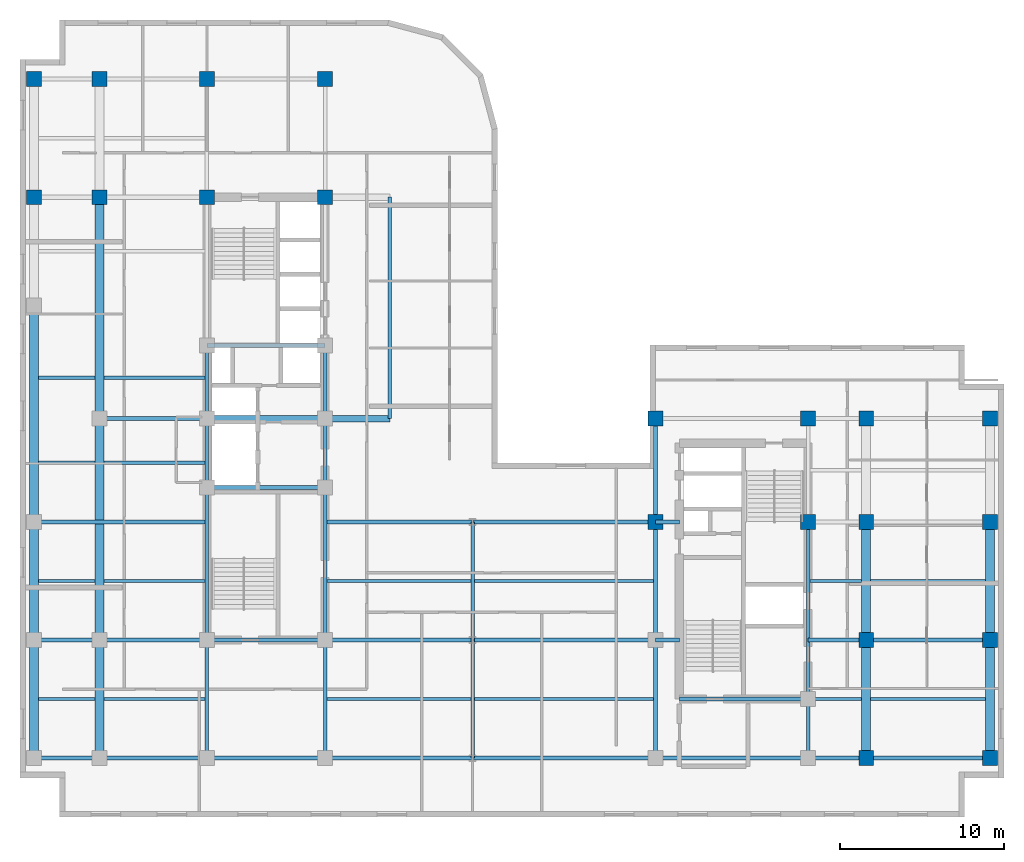
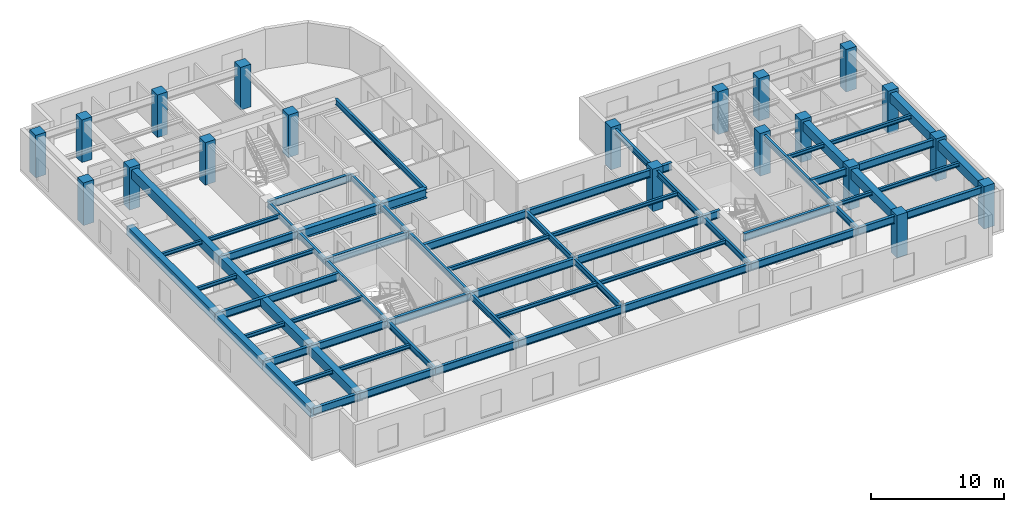
# One storey, part 2 of 11: 67 beams, 20 columns.
"""IFC4 building model written with IfcOpenShell, lengths in metres."""

import ifcopenshell
import ifcopenshell.guid

model = None  # the IFC model being written
_history = None  # IfcOwnerHistory: only IFC2X3 demands one
_inside = {}  # id of a spatial element -> (the spatial element, [elements in it])
_under = {}  # id of a project, library or spatial element -> (it, [spatial elements below it])
_declared = {}  # id of a project -> (the project, [libraries it declares])
_typed = {}  # id of a type object -> (the type object, [elements of that type])
_made_of = {}  # id of a material, layer set ... -> (it, [elements and type objects made of it])


def new_model(schema):
    """Start an empty IFC model of exactly this schema.

    Asked for "IFC4X3", IfcOpenShell would pick the latest addendum, in which some entities
    have other attributes; the version numbers below select the first issue.
    IFC2X3 requires an IfcOwnerHistory on every rooted entity: one is made here for all.
    """
    global model, _history
    if schema == "IFC4X3":
        model = ifcopenshell.file(schema_version=(4, 3, 0, 0))
    else:
        model = ifcopenshell.file(schema=schema)
    _inside.clear()
    _under.clear()
    _declared.clear()
    _typed.clear()
    _made_of.clear()
    _history = None
    if model.schema == "IFC2X3":
        org = make("IfcOrganization", Name="unknown")
        user = make(
            "IfcPersonAndOrganization",
            ThePerson=make("IfcPerson", FamilyName="unknown"),
            TheOrganization=org,
        )
        app = make(
            "IfcApplication",
            ApplicationDeveloper=org,
            Version="unknown",
            ApplicationFullName="unknown",
            ApplicationIdentifier="unknown",
        )
        _history = make(
            "IfcOwnerHistory",
            OwningUser=user,
            OwningApplication=app,
            ChangeAction="ADDED",
            CreationDate=0,
        )
    return model


def make(cls, **values):
    """One entity of the class cls with the attributes given. An attribute that is None is left unset."""
    return model.create_entity(
        cls, **{name: value for name, value in values.items() if value is not None}
    )


def entity(cls, *values):
    """Any entity or typed value of the class cls, its attributes in the order of the schema. None: left unset."""
    e = model.create_entity(cls)
    for i, value in enumerate(values):
        if value is not None:
            e[i] = value
    return e


def rooted(cls, **values):
    """An entity with a GlobalId (a new one), such as an element, a storey or a relation."""
    return make(cls, GlobalId=ifcopenshell.guid.new(), OwnerHistory=_history, **values)


def si_unit(unit_type, name, prefix=None):
    """IfcSIUnit, for example si_unit("LENGTHUNIT", "METRE", prefix="MILLI")."""
    return make("IfcSIUnit", UnitType=unit_type, Prefix=prefix, Name=name)


def converted_unit(unit_type, name, factor, base, dimensions=None, offset=None):
    """IfcConversionBasedUnit, such as the inch: factor (a typed value) times the base unit."""
    return make(
        "IfcConversionBasedUnit"
        if offset is None
        else "IfcConversionBasedUnitWithOffset",
        ConversionOffset=offset,
        Dimensions=None
        if dimensions is None
        else entity("IfcDimensionalExponents", *dimensions),
        UnitType=unit_type,
        Name=name,
        ConversionFactor=make(
            "IfcMeasureWithUnit", ValueComponent=factor, UnitComponent=base
        ),
    )


def assignment(units):
    """IfcUnitAssignment: the units of a project."""
    return None if units is None else make("IfcUnitAssignment", Units=units)


def point(xyz):
    """IfcCartesianPoint."""
    return None if xyz is None else make("IfcCartesianPoint", Coordinates=xyz)


def direction(xyz):
    """IfcDirection."""
    return None if xyz is None else make("IfcDirection", DirectionRatios=xyz)


def frame(location, z_axis=None, x_axis=None):
    """IfcAxis2Placement3D, a coordinate frame: its origin and axes. An axis left out is left unset."""
    return make(
        "IfcAxis2Placement3D",
        Location=point(location),
        Axis=direction(z_axis),
        RefDirection=direction(x_axis),
    )


def frame_2d(location, x_axis=None):
    """IfcAxis2Placement2D, a coordinate frame in the plane: its origin and x axis."""
    return make(
        "IfcAxis2Placement2D", Location=point(location), RefDirection=direction(x_axis)
    )


def origin_with_axes():
    """The frame at (0, 0, 0) with the z axis (0, 0, 1) and the x axis (1, 0, 0) written out."""
    return frame((0.0, 0.0, 0.0), z_axis=(0.0, 0.0, 1.0), x_axis=(1.0, 0.0, 0.0))


def origin_2d_with_axis():
    """The frame at (0, 0) in the plane with the x axis (1, 0) written out."""
    return frame_2d((0.0, 0.0), x_axis=(1.0, 0.0))


def place(relative_to, where):
    """IfcLocalPlacement: puts the frame where relative to a parent placement (None: the world)."""
    return make(
        "IfcLocalPlacement", PlacementRelTo=relative_to, RelativePlacement=where
    )


def context(
    kind, dimensions, precision=None, world=None, true_north=None, identifier=None
):
    """IfcGeometricRepresentationContext, for example the 3D "Model" context."""
    return make(
        "IfcGeometricRepresentationContext",
        ContextIdentifier=identifier,
        ContextType=kind,
        CoordinateSpaceDimension=dimensions,
        Precision=precision,
        WorldCoordinateSystem=world,
        TrueNorth=true_north,
    )


def subcontext(parent, identifier, kind, view, scale=None):
    """IfcGeometricRepresentationSubContext, for example "Body" below "Model"."""
    return make(
        "IfcGeometricRepresentationSubContext",
        ContextIdentifier=identifier,
        ContextType=kind,
        ParentContext=parent,
        TargetScale=scale,
        TargetView=view,
    )


def project(units=None, contexts=None):
    """IfcProject with its units and contexts."""
    return rooted(
        "IfcProject",
        Name="project",
        RepresentationContexts=contexts,
        UnitsInContext=assignment(units),
    )


def spatial(cls, under=None, at=None, **own):
    """A site, building, storey or space (cls), placed at a placement, below another one or the project."""
    s = rooted(cls, ObjectPlacement=at, **own)
    if under is not None:
        _under.setdefault(under.id(), (under, []))[1].append(s)
    return s


def profile(cls, at=None, kind="AREA", **sizes):
    """A parametric profile (cls). Its sizes go by their IFC names, for example OverallWidth=200.0."""
    return make(cls, ProfileType=kind, Position=at, **sizes)


def rectangle(**sizes):
    """IfcRectangleProfileDef."""
    return profile("IfcRectangleProfileDef", **sizes)


def i_section(**sizes):
    """IfcIShapeProfileDef."""
    return profile("IfcIShapeProfileDef", **sizes)


def extrude(swept, where, along, depth):
    """IfcExtrudedAreaSolid: the profile swept, set in the frame where, extruded along a direction by depth."""
    return make(
        "IfcExtrudedAreaSolid",
        SweptArea=swept,
        Position=where,
        ExtrudedDirection=direction(along),
        Depth=depth,
    )


def shape(context_of_items, identifier, shape_type, items):
    """IfcShapeRepresentation: the items that make up one representation, for example the "Body"."""
    return make(
        "IfcShapeRepresentation",
        ContextOfItems=context_of_items,
        RepresentationIdentifier=identifier,
        RepresentationType=shape_type,
        Items=items,
    )


def material(Name=None, Category=None):
    """IfcMaterial."""
    return make("IfcMaterial", Name=Name, Category=Category)


def material_profile(
    of_material, cross_section, Name=None, Category=None, Priority=None
):
    """IfcMaterialProfile: a cross section and its material."""
    return make(
        "IfcMaterialProfile",
        Name=Name,
        Material=of_material,
        Profile=cross_section,
        Priority=Priority,
        Category=Category,
    )


def profile_set(profiles, Name=None, composite=None):
    """IfcMaterialProfileSet."""
    return make(
        "IfcMaterialProfileSet",
        Name=Name,
        MaterialProfiles=profiles,
        CompositeProfile=composite,
    )


def made_of(thing, what):
    """Note that an element or type object is made of a material, layer set ...; save() writes the relation."""
    if what is not None:
        _made_of.setdefault(what.id(), (what, []))[1].append(thing)
    return thing


def type_object(cls, material=None, **own):
    """A type object (cls), such as IfcWallType, which elements share."""
    return made_of(rooted(cls, **own), material)


def element(
    cls,
    number,
    at=None,
    inside=None,
    cuts=None,
    type_object=None,
    material=None,
    context=None,
    identifier="Body",
    shape_type=None,
    held_by="IfcProductDefinitionShape",
    body=None,
    shapes=None,
    **own,
):
    """One element of the class cls, such as IfcWall. Its Tag is "e" and its number.

    at: its placement. inside: the storey or other place that contains it. cuts: it is an
    opening in that element (IfcRelVoidsElement). A single representation is given by context,
    identifier, shape_type and body (its items); several are given by shapes. held_by: the class
    of the entity that holds the representations. save() writes the other relations.
    """
    e = rooted(cls, Tag="e%d" % number, ObjectPlacement=at, **own)
    if body is not None:
        shapes = [shape(context, identifier, shape_type, body)]
    if shapes is not None:
        e.Representation = make(held_by, Representations=shapes)
    if inside is not None:
        _inside.setdefault(inside.id(), (inside, []))[1].append(e)
    if cuts is not None:
        rooted(
            "IfcRelVoidsElement", RelatingBuildingElement=cuts, RelatedOpeningElement=e
        )
    if type_object is not None:
        _typed.setdefault(type_object.id(), (type_object, []))[1].append(e)
    return made_of(e, material)


def aggregate(whole, parts):
    """IfcRelAggregates: a whole, such as a stair, and the parts it consists of."""
    return rooted("IfcRelAggregates", RelatingObject=whole, RelatedObjects=parts)


def save(model, path):
    """Write the relations noted so far, then the file.

    IfcRelAggregates (storeys below a building ...), IfcRelContainedInSpatialStructure (elements
    in a storey), IfcRelDefinesByType, IfcRelAssociatesMaterial and IfcRelDeclares: one each for
    every whole, place, type object, material and project.
    """
    for whole, parts in _under.values():
        aggregate(whole, parts)
    for where, things in _inside.values():
        rooted(
            "IfcRelContainedInSpatialStructure",
            RelatedElements=things,
            RelatingStructure=where,
        )
    for kind, things in _typed.values():
        rooted("IfcRelDefinesByType", RelatedObjects=things, RelatingType=kind)
    for what, things in _made_of.values():
        rooted("IfcRelAssociatesMaterial", RelatedObjects=things, RelatingMaterial=what)
    for by, libraries in _declared.values():
        rooted("IfcRelDeclares", RelatingContext=by, RelatedDefinitions=libraries)
    model.write(path)


model = new_model("IFC4")

# Units and contexts
model_context = context("Model", 3, precision=1e-05, world=origin_with_axes(), true_north=direction((0.0, 1.0)))
body_context = subcontext(model_context, "Body", "Model", "MODEL_VIEW")
ifc_project = project(units=[si_unit("LENGTHUNIT", "METRE"), si_unit("AREAUNIT", "SQUARE_METRE"), si_unit("VOLUMEUNIT", "CUBIC_METRE"), converted_unit("PLANEANGLEUNIT", "DEGREE", entity("IfcPlaneAngleMeasure", 0.017453292519943295), si_unit("PLANEANGLEUNIT", "RADIAN"), dimensions=[0, 0, 0, 0, 0, 0, 0]), si_unit("MASSUNIT", "GRAM", prefix="KILO"), si_unit("THERMODYNAMICTEMPERATUREUNIT", "KELVIN")], contexts=[model_context])

# Site, building, storey
site_placement = place(None, origin_with_axes())
site = spatial("IfcSite", under=ifc_project, at=site_placement, CompositionType="ELEMENT")
building_placement = place(site_placement, origin_with_axes())
building = spatial("IfcBuilding", under=site, at=building_placement, Name="Varnlund Millrace Tower", CompositionType="ELEMENT")
storey_placement = place(building_placement, frame((0.0, 0.0, 200.4), z_axis=(0.0, 0.0, 1.0), x_axis=(1.0, 0.0, 0.0)))
storey = spatial("IfcBuildingStorey", under=building, at=storey_placement, Name="L49", CompositionType="ELEMENT", Elevation=200.4)

# Columns
ifc_material_1 = material(Name="Concrete C70/85", Category="concrete")
ifc_material_profile_1 = material_profile(ifc_material_1, rectangle(XDim=0.9, YDim=0.9, at=origin_2d_with_axis()), Name="Concrete C70/85")
ifc_profile_set_1 = profile_set([ifc_material_profile_1], Name="Concrete C70/85")
column_type = type_object("IfcColumnType", Name="Type-Col-RC900-C70", PredefinedType="COLUMN", material=ifc_profile_set_1)
for number, where, z_axis, x_axis, name in (
    (1, (11.4, 37.8, 0.0), (0.0, 0.0, 1.0), (1.0, 0.0, 0.0), "Type-Col-RC900-C70"),
    (2, (11.4, 45.0, 0.0), (0.0, 0.0, 1.0), (1.0, 0.0, 0.0), "Type-Col-RC900-C70"),
    (3, (18.6, 37.8, 0.0), (0.0, 0.0, 1.0), (1.0, 0.0, 0.0), "Type-Col-RC900-C70"),
    (4, (18.6, 45.0, 0.0), (0.0, 0.0, 1.0), (1.0, 0.0, 0.0), "Type-Col-RC900-C70"),
    (5, (4.85, 37.8, 0.0), (0.0, 0.0, 1.0), (1.0, 0.0, 0.0), "Type-Col-RC900-C70"),
    (6, (4.85, 45.0, 0.0), (0.0, 0.0, 1.0), (1.0, 0.0, 0.0), "Type-Col-RC900-C70"),
    (7, (0.85, 37.8, 0.0), (0.0, 0.0, 1.0), (1.0, 0.0, 0.0), "Type-Col-RC900-C70"),
    (8, (0.85, 45.0, 0.0), (0.0, 0.0, 1.0), (1.0, 0.0, 0.0), "Type-Col-RC900-C70"),
    (9, (38.75, 18.0, 0.0), (0.0, 0.0, 1.0), (1.0, 0.0, 0.0), "Type-Col-RC900-C70"),
    (10, (38.75, 24.3, 0.0), (0.0, 0.0, 1.0), (1.0, 0.0, 0.0), "Type-Col-RC900-C70"),
    (11, (48.05, 18.0, 0.0), (0.0, 0.0, 1.0), (1.0, 0.0, 0.0), "Type-Col-RC900-C70"),
    (12, (48.05, 24.3, 0.0), (0.0, 0.0, 1.0), (1.0, 0.0, 0.0), "Type-Col-RC900-C70"),
    (13, (51.6, 3.6, 0.0), (0.0, 0.0, 1.0), (1.0, 0.0, 0.0), "Type-Col-RC900-C70"),
    (14, (51.6, 10.8, 0.0), (0.0, 0.0, 1.0), (1.0, 0.0, 0.0), "Type-Col-RC900-C70"),
    (15, (51.6, 18.0, 0.0), (0.0, 0.0, 1.0), (1.0, 0.0, 0.0), "Type-Col-RC900-C70"),
    (16, (51.6, 24.3, 0.0), (0.0, 0.0, 1.0), (1.0, 0.0, 0.0), "Type-Col-RC900-C70"),
    (17, (59.15, 3.6, 0.0), (0.0, 0.0, 1.0), (1.0, 0.0, 0.0), "Type-Col-RC900-C70"),
    (18, (59.15, 10.8, 0.0), (0.0, 0.0, 1.0), (1.0, 0.0, 0.0), "Type-Col-RC900-C70"),
    (19, (59.15, 18.0, 0.0), (0.0, 0.0, 1.0), (1.0, 0.0, 0.0), "Type-Col-RC900-C70"),
    (20, (59.15, 24.3, 0.0), (0.0, 0.0, 1.0), (1.0, 0.0, 0.0), "Type-Col-RC900-C70"),
):
    element("IfcColumn", number, at=place(storey_placement, frame(where, z_axis=z_axis, x_axis=x_axis)), inside=storey, type_object=column_type, Name=name, PredefinedType="COLUMN", context=body_context, shape_type="SweptSolid", body=[
        extrude(rectangle(XDim=0.9, YDim=0.9, at=origin_2d_with_axis()), origin_with_axes(), (0.0, 0.0, 1.0), 3.9),
    ])

# Beams
ifc_material_2 = material(Name="Steel ASTM A992 Grade 50", Category="steel")
ifc_material_profile_2 = material_profile(ifc_material_2, i_section(OverallWidth=0.209, OverallDepth=0.533, WebThickness=0.0102, FlangeThickness=0.0156, FilletRadius=0.014, at=origin_2d_with_axis()), Name="Steel ASTM A992 Grade 50")
ifc_profile_set_2 = profile_set([ifc_material_profile_2], Name="Steel ASTM A992 Grade 50")
beam_type_1 = type_object("IfcBeamType", Name="Type-Beam-W21X62", PredefinedType="BEAM", material=ifc_profile_set_2)
beam_1_placement = place(storey_placement, frame((22.55, 24.3, 3.3935), z_axis=(0.0, 1.0, 0.0), x_axis=(-1.0, 0.0, 0.0)))
element("IfcBeam", 21, at=beam_1_placement, inside=storey, type_object=beam_type_1, Name="Type-Beam-W21X62", PredefinedType="BEAM", context=body_context, shape_type="SweptSolid", body=[
    extrude(i_section(OverallWidth=0.209, OverallDepth=0.533, WebThickness=0.0102, FlangeThickness=0.0156, FilletRadius=0.014, at=origin_2d_with_axis()), origin_with_axes(), (0.0, 0.0, 1.0), 13.5),
])
ifc_material_profile_3 = material_profile(ifc_material_2, i_section(OverallWidth=0.214, OverallDepth=0.549, WebThickness=0.0147, FlangeThickness=0.0236, FilletRadius=0.015, at=origin_2d_with_axis()), Name="Steel ASTM A992 Grade 50")
ifc_profile_set_3 = profile_set([ifc_material_profile_3], Name="Steel ASTM A992 Grade 50")
beam_type_2 = type_object("IfcBeamType", Name="Type-Beam-W21X93", PredefinedType="BEAM", material=ifc_profile_set_3)
beam_2_placement = place(storey_placement, frame((11.4, 3.6, 3.3855), z_axis=(0.0, 1.0, 0.0), x_axis=(-1.0, 0.0, 0.0)))
element("IfcBeam", 22, at=beam_2_placement, inside=storey, type_object=beam_type_2, Name="Type-Beam-W21X93", PredefinedType="BEAM", context=body_context, shape_type="SweptSolid", body=[
    extrude(i_section(OverallWidth=0.214, OverallDepth=0.549, WebThickness=0.0147, FlangeThickness=0.0236, FilletRadius=0.015, at=origin_2d_with_axis()), origin_with_axes(), (0.0, 0.0, 1.0), 7.2),
])
beam_3_placement = place(storey_placement, frame((11.4, 10.8, 3.3855), z_axis=(0.0, 1.0, 0.0), x_axis=(-1.0, 0.0, 0.0)))
element("IfcBeam", 23, at=beam_3_placement, inside=storey, type_object=beam_type_2, Name="Type-Beam-W21X93", PredefinedType="BEAM", context=body_context, shape_type="SweptSolid", body=[
    extrude(i_section(OverallWidth=0.214, OverallDepth=0.549, WebThickness=0.0147, FlangeThickness=0.0236, FilletRadius=0.015, at=origin_2d_with_axis()), origin_with_axes(), (0.0, 0.0, 1.0), 9.3),
])
beam_4_placement = place(storey_placement, frame((11.4, 20.1, 3.3855), z_axis=(0.0, 1.0, 0.0), x_axis=(-1.0, 0.0, 0.0)))
element("IfcBeam", 24, at=beam_4_placement, inside=storey, type_object=beam_type_2, Name="Type-Beam-W21X93", PredefinedType="BEAM", context=body_context, shape_type="SweptSolid", body=[
    extrude(i_section(OverallWidth=0.214, OverallDepth=0.549, WebThickness=0.0147, FlangeThickness=0.0236, FilletRadius=0.015, at=origin_2d_with_axis()), origin_with_axes(), (0.0, 0.0, 1.0), 4.2),
])
beam_5_placement = place(storey_placement, frame((11.4, 24.3, 3.3855), z_axis=(0.0, 1.0, 0.0), x_axis=(-1.0, 0.0, 0.0)))
element("IfcBeam", 25, at=beam_5_placement, inside=storey, type_object=beam_type_2, Name="Type-Beam-W21X93", PredefinedType="BEAM", context=body_context, shape_type="SweptSolid", body=[
    extrude(i_section(OverallWidth=0.214, OverallDepth=0.549, WebThickness=0.0147, FlangeThickness=0.0236, FilletRadius=0.015, at=origin_2d_with_axis()), origin_with_axes(), (0.0, 0.0, 1.0), 4.45),
])
beam_6_placement = place(storey_placement, frame((18.6, 3.6, 3.3855), z_axis=(0.0, 1.0, 0.0), x_axis=(-1.0, 0.0, 0.0)))
element("IfcBeam", 26, at=beam_6_placement, inside=storey, type_object=beam_type_2, Name="Type-Beam-W21X93", PredefinedType="BEAM", context=body_context, shape_type="SweptSolid", body=[
    extrude(i_section(OverallWidth=0.214, OverallDepth=0.549, WebThickness=0.0147, FlangeThickness=0.0236, FilletRadius=0.015, at=origin_2d_with_axis()), origin_with_axes(), (0.0, 0.0, 1.0), 7.2),
])
beam_7_placement = place(storey_placement, frame((18.6, 10.8, 3.3855), z_axis=(0.0, 1.0, 0.0), x_axis=(-1.0, 0.0, 0.0)))
element("IfcBeam", 27, at=beam_7_placement, inside=storey, type_object=beam_type_2, Name="Type-Beam-W21X93", PredefinedType="BEAM", context=body_context, shape_type="SweptSolid", body=[
    extrude(i_section(OverallWidth=0.214, OverallDepth=0.549, WebThickness=0.0147, FlangeThickness=0.0236, FilletRadius=0.015, at=origin_2d_with_axis()), origin_with_axes(), (0.0, 0.0, 1.0), 9.3),
])
beam_8_placement = place(storey_placement, frame((18.6, 20.1, 3.3855), z_axis=(0.0, 1.0, 0.0), x_axis=(-1.0, 0.0, 0.0)))
element("IfcBeam", 28, at=beam_8_placement, inside=storey, type_object=beam_type_2, Name="Type-Beam-W21X93", PredefinedType="BEAM", context=body_context, shape_type="SweptSolid", body=[
    extrude(i_section(OverallWidth=0.214, OverallDepth=0.549, WebThickness=0.0147, FlangeThickness=0.0236, FilletRadius=0.015, at=origin_2d_with_axis()), origin_with_axes(), (0.0, 0.0, 1.0), 4.2),
])
beam_9_placement = place(storey_placement, frame((18.6, 24.3, 3.3855), z_axis=(0.0, 1.0, 0.0), x_axis=(-1.0, 0.0, 0.0)))
element("IfcBeam", 29, at=beam_9_placement, inside=storey, type_object=beam_type_2, Name="Type-Beam-W21X93", PredefinedType="BEAM", context=body_context, shape_type="SweptSolid", body=[
    extrude(i_section(OverallWidth=0.214, OverallDepth=0.549, WebThickness=0.0147, FlangeThickness=0.0236, FilletRadius=0.015, at=origin_2d_with_axis()), origin_with_axes(), (0.0, 0.0, 1.0), 4.45),
])
for number, where, z_axis, x_axis, name in (
    (30, (27.6, 3.6, 3.3855), (0.0, 1.0, 0.0), (-1.0, 0.0, 0.0), "Type-Beam-W21X93"),
    (31, (27.6, 10.8, 3.3855), (0.0, 1.0, 0.0), (-1.0, 0.0, 0.0), "Type-Beam-W21X93"),
    (32, (38.75, 3.6, 3.3855), (0.0, 1.0, 0.0), (-1.0, 0.0, 0.0), "Type-Beam-W21X93"),
    (33, (38.75, 10.8, 3.3855), (0.0, 1.0, 0.0), (-1.0, 0.0, 0.0), "Type-Beam-W21X93"),
):
    element("IfcBeam", number, at=place(storey_placement, frame(where, z_axis=z_axis, x_axis=x_axis)), inside=storey, type_object=beam_type_2, Name=name, PredefinedType="BEAM", context=body_context, shape_type="SweptSolid", body=[
        extrude(i_section(OverallWidth=0.214, OverallDepth=0.549, WebThickness=0.0147, FlangeThickness=0.0236, FilletRadius=0.015, at=origin_2d_with_axis()), origin_with_axes(), (0.0, 0.0, 1.0), 7.2),
    ])
beam_10_placement = place(storey_placement, frame((38.75, 18.0, 3.3855), z_axis=(0.0, 1.0, 0.0), x_axis=(-1.0, 0.0, 0.0)))
element("IfcBeam", 34, at=beam_10_placement, inside=storey, type_object=beam_type_2, Name="Type-Beam-W21X93", PredefinedType="BEAM", context=body_context, shape_type="SweptSolid", body=[
    extrude(i_section(OverallWidth=0.214, OverallDepth=0.549, WebThickness=0.0147, FlangeThickness=0.0236, FilletRadius=0.015, at=origin_2d_with_axis()), origin_with_axes(), (0.0, 0.0, 1.0), 6.3),
])
beam_11_placement = place(storey_placement, frame((48.05, 3.6, 3.3855), z_axis=(0.0, 1.0, 0.0), x_axis=(-1.0, 0.0, 0.0)))
element("IfcBeam", 35, at=beam_11_placement, inside=storey, type_object=beam_type_2, Name="Type-Beam-W21X93", PredefinedType="BEAM", context=body_context, shape_type="SweptSolid", body=[
    extrude(i_section(OverallWidth=0.214, OverallDepth=0.549, WebThickness=0.0147, FlangeThickness=0.0236, FilletRadius=0.015, at=origin_2d_with_axis()), origin_with_axes(), (0.0, 0.0, 1.0), 3.6),
])
beam_12_placement = place(storey_placement, frame((48.05, 7.2, 3.3855), z_axis=(0.0, 1.0, 0.0), x_axis=(-1.0, 0.0, 0.0)))
element("IfcBeam", 36, at=beam_12_placement, inside=storey, type_object=beam_type_2, Name="Type-Beam-W21X93", PredefinedType="BEAM", context=body_context, shape_type="SweptSolid", body=[
    extrude(i_section(OverallWidth=0.214, OverallDepth=0.549, WebThickness=0.0147, FlangeThickness=0.0236, FilletRadius=0.015, at=origin_2d_with_axis()), origin_with_axes(), (0.0, 0.0, 1.0), 10.8),
])
ifc_material_profile_4 = material_profile(ifc_material_2, i_section(OverallWidth=0.256, OverallDepth=0.693, WebThickness=0.0145, FlangeThickness=0.0236, FilletRadius=0.018, at=origin_2d_with_axis()), Name="Steel ASTM A992 Grade 50")
ifc_profile_set_4 = profile_set([ifc_material_profile_4], Name="Steel ASTM A992 Grade 50")
beam_type_3 = type_object("IfcBeamType", Name="Type-Girder-W27X114", PredefinedType="USERDEFINED", material=ifc_profile_set_4)
beam_13_placement = place(storey_placement, frame((0.85, 3.6, 3.3135), z_axis=(1.0, 0.0, 0.0), x_axis=(0.0, 1.0, 0.0)))
element("IfcBeam", 37, at=beam_13_placement, inside=storey, type_object=beam_type_3, Name="Type-Girder-W27X114", ObjectType="GIRDER", PredefinedType="USERDEFINED", context=body_context, shape_type="SweptSolid", body=[
    extrude(i_section(OverallWidth=0.256, OverallDepth=0.693, WebThickness=0.0145, FlangeThickness=0.0236, FilletRadius=0.018, at=origin_2d_with_axis()), origin_with_axes(), (0.0, 0.0, 1.0), 4.0),
])
beam_14_placement = place(storey_placement, frame((4.85, 3.6, 3.3135), z_axis=(1.0, 0.0, 0.0), x_axis=(0.0, 1.0, 0.0)))
element("IfcBeam", 38, at=beam_14_placement, inside=storey, type_object=beam_type_3, Name="Type-Girder-W27X114", ObjectType="GIRDER", PredefinedType="USERDEFINED", context=body_context, shape_type="SweptSolid", body=[
    extrude(i_section(OverallWidth=0.256, OverallDepth=0.693, WebThickness=0.0145, FlangeThickness=0.0236, FilletRadius=0.018, at=origin_2d_with_axis()), origin_with_axes(), (0.0, 0.0, 1.0), 6.55),
])
beam_15_placement = place(storey_placement, frame((11.4, 3.6, 3.3135), z_axis=(1.0, 0.0, 0.0), x_axis=(0.0, 1.0, 0.0)))
element("IfcBeam", 39, at=beam_15_placement, inside=storey, type_object=beam_type_3, Name="Type-Girder-W27X114", ObjectType="GIRDER", PredefinedType="USERDEFINED", context=body_context, shape_type="SweptSolid", body=[
    extrude(i_section(OverallWidth=0.256, OverallDepth=0.693, WebThickness=0.0145, FlangeThickness=0.0236, FilletRadius=0.018, at=origin_2d_with_axis()), origin_with_axes(), (0.0, 0.0, 1.0), 7.2),
])
beam_16_placement = place(storey_placement, frame((18.6, 3.6, 3.3135), z_axis=(1.0, 0.0, 0.0), x_axis=(0.0, 1.0, 0.0)))
element("IfcBeam", 40, at=beam_16_placement, inside=storey, type_object=beam_type_3, Name="Type-Girder-W27X114", ObjectType="GIRDER", PredefinedType="USERDEFINED", context=body_context, shape_type="SweptSolid", body=[
    extrude(i_section(OverallWidth=0.256, OverallDepth=0.693, WebThickness=0.0145, FlangeThickness=0.0236, FilletRadius=0.018, at=origin_2d_with_axis()), origin_with_axes(), (0.0, 0.0, 1.0), 9.0),
])
beam_17_placement = place(storey_placement, frame((27.6, 3.6, 3.3135), z_axis=(1.0, 0.0, 0.0), x_axis=(0.0, 1.0, 0.0)))
element("IfcBeam", 41, at=beam_17_placement, inside=storey, type_object=beam_type_3, Name="Type-Girder-W27X114", ObjectType="GIRDER", PredefinedType="USERDEFINED", context=body_context, shape_type="SweptSolid", body=[
    extrude(i_section(OverallWidth=0.256, OverallDepth=0.693, WebThickness=0.0145, FlangeThickness=0.0236, FilletRadius=0.018, at=origin_2d_with_axis()), origin_with_axes(), (0.0, 0.0, 1.0), 11.15),
])
beam_18_placement = place(storey_placement, frame((38.75, 3.6, 3.3135), z_axis=(1.0, 0.0, 0.0), x_axis=(0.0, 1.0, 0.0)))
element("IfcBeam", 42, at=beam_18_placement, inside=storey, type_object=beam_type_3, Name="Type-Girder-W27X114", ObjectType="GIRDER", PredefinedType="USERDEFINED", context=body_context, shape_type="SweptSolid", body=[
    extrude(i_section(OverallWidth=0.256, OverallDepth=0.693, WebThickness=0.0145, FlangeThickness=0.0236, FilletRadius=0.018, at=origin_2d_with_axis()), origin_with_axes(), (0.0, 0.0, 1.0), 9.3),
])
beam_19_placement = place(storey_placement, frame((48.05, 3.6, 3.3135), z_axis=(1.0, 0.0, 0.0), x_axis=(0.0, 1.0, 0.0)))
element("IfcBeam", 43, at=beam_19_placement, inside=storey, type_object=beam_type_3, Name="Type-Girder-W27X114", ObjectType="GIRDER", PredefinedType="USERDEFINED", context=body_context, shape_type="SweptSolid", body=[
    extrude(i_section(OverallWidth=0.256, OverallDepth=0.693, WebThickness=0.0145, FlangeThickness=0.0236, FilletRadius=0.018, at=origin_2d_with_axis()), origin_with_axes(), (0.0, 0.0, 1.0), 3.55),
])
beam_20_placement = place(storey_placement, frame((51.6, 3.6, 3.3135), z_axis=(1.0, 0.0, 0.0), x_axis=(0.0, 1.0, 0.0)))
element("IfcBeam", 44, at=beam_20_placement, inside=storey, type_object=beam_type_3, Name="Type-Girder-W27X114", ObjectType="GIRDER", PredefinedType="USERDEFINED", context=body_context, shape_type="SweptSolid", body=[
    extrude(i_section(OverallWidth=0.256, OverallDepth=0.693, WebThickness=0.0145, FlangeThickness=0.0236, FilletRadius=0.018, at=origin_2d_with_axis()), origin_with_axes(), (0.0, 0.0, 1.0), 7.55),
])
beam_21_placement = place(storey_placement, frame((40.2, 7.2, 3.3135), z_axis=(1.0, 0.0, 0.0), x_axis=(0.0, 1.0, 0.0)))
element("IfcBeam", 45, at=beam_21_placement, inside=storey, type_object=beam_type_3, Name="Type-Girder-W27X114", ObjectType="GIRDER", PredefinedType="USERDEFINED", context=body_context, shape_type="SweptSolid", body=[
    extrude(i_section(OverallWidth=0.256, OverallDepth=0.693, WebThickness=0.0145, FlangeThickness=0.0236, FilletRadius=0.018, at=origin_2d_with_axis()), origin_with_axes(), (0.0, 0.0, 1.0), 7.85),
])
beam_22_placement = place(storey_placement, frame((0.85, 10.8, 3.3135), z_axis=(1.0, 0.0, 0.0), x_axis=(0.0, 1.0, 0.0)))
element("IfcBeam", 46, at=beam_22_placement, inside=storey, type_object=beam_type_3, Name="Type-Girder-W27X114", ObjectType="GIRDER", PredefinedType="USERDEFINED", context=body_context, shape_type="SweptSolid", body=[
    extrude(i_section(OverallWidth=0.256, OverallDepth=0.693, WebThickness=0.0145, FlangeThickness=0.0236, FilletRadius=0.018, at=origin_2d_with_axis()), origin_with_axes(), (0.0, 0.0, 1.0), 4.0),
])
beam_23_placement = place(storey_placement, frame((4.85, 10.8, 3.3135), z_axis=(1.0, 0.0, 0.0), x_axis=(0.0, 1.0, 0.0)))
element("IfcBeam", 47, at=beam_23_placement, inside=storey, type_object=beam_type_3, Name="Type-Girder-W27X114", ObjectType="GIRDER", PredefinedType="USERDEFINED", context=body_context, shape_type="SweptSolid", body=[
    extrude(i_section(OverallWidth=0.256, OverallDepth=0.693, WebThickness=0.0145, FlangeThickness=0.0236, FilletRadius=0.018, at=origin_2d_with_axis()), origin_with_axes(), (0.0, 0.0, 1.0), 6.55),
])
beam_24_placement = place(storey_placement, frame((11.4, 10.8, 3.3135), z_axis=(1.0, 0.0, 0.0), x_axis=(0.0, 1.0, 0.0)))
element("IfcBeam", 48, at=beam_24_placement, inside=storey, type_object=beam_type_3, Name="Type-Girder-W27X114", ObjectType="GIRDER", PredefinedType="USERDEFINED", context=body_context, shape_type="SweptSolid", body=[
    extrude(i_section(OverallWidth=0.256, OverallDepth=0.693, WebThickness=0.0145, FlangeThickness=0.0236, FilletRadius=0.018, at=origin_2d_with_axis()), origin_with_axes(), (0.0, 0.0, 1.0), 7.2),
])
beam_25_placement = place(storey_placement, frame((18.6, 10.8, 3.3135), z_axis=(1.0, 0.0, 0.0), x_axis=(0.0, 1.0, 0.0)))
element("IfcBeam", 49, at=beam_25_placement, inside=storey, type_object=beam_type_3, Name="Type-Girder-W27X114", ObjectType="GIRDER", PredefinedType="USERDEFINED", context=body_context, shape_type="SweptSolid", body=[
    extrude(i_section(OverallWidth=0.256, OverallDepth=0.693, WebThickness=0.0145, FlangeThickness=0.0236, FilletRadius=0.018, at=origin_2d_with_axis()), origin_with_axes(), (0.0, 0.0, 1.0), 9.0),
])
beam_26_placement = place(storey_placement, frame((27.6, 10.8, 3.3135), z_axis=(1.0, 0.0, 0.0), x_axis=(0.0, 1.0, 0.0)))
element("IfcBeam", 50, at=beam_26_placement, inside=storey, type_object=beam_type_3, Name="Type-Girder-W27X114", ObjectType="GIRDER", PredefinedType="USERDEFINED", context=body_context, shape_type="SweptSolid", body=[
    extrude(i_section(OverallWidth=0.256, OverallDepth=0.693, WebThickness=0.0145, FlangeThickness=0.0236, FilletRadius=0.018, at=origin_2d_with_axis()), origin_with_axes(), (0.0, 0.0, 1.0), 11.15),
])
beam_27_placement = place(storey_placement, frame((38.75, 10.8, 3.3135), z_axis=(1.0, 0.0, 0.0), x_axis=(0.0, 1.0, 0.0)))
element("IfcBeam", 51, at=beam_27_placement, inside=storey, type_object=beam_type_3, Name="Type-Girder-W27X114", ObjectType="GIRDER", PredefinedType="USERDEFINED", context=body_context, shape_type="SweptSolid", body=[
    extrude(i_section(OverallWidth=0.256, OverallDepth=0.693, WebThickness=0.0145, FlangeThickness=0.0236, FilletRadius=0.018, at=origin_2d_with_axis()), origin_with_axes(), (0.0, 0.0, 1.0), 1.45),
])
beam_28_placement = place(storey_placement, frame((48.05, 10.8, 3.3135), z_axis=(1.0, 0.0, 0.0), x_axis=(0.0, 1.0, 0.0)))
element("IfcBeam", 52, at=beam_28_placement, inside=storey, type_object=beam_type_3, Name="Type-Girder-W27X114", ObjectType="GIRDER", PredefinedType="USERDEFINED", context=body_context, shape_type="SweptSolid", body=[
    extrude(i_section(OverallWidth=0.256, OverallDepth=0.693, WebThickness=0.0145, FlangeThickness=0.0236, FilletRadius=0.018, at=origin_2d_with_axis()), origin_with_axes(), (0.0, 0.0, 1.0), 3.55),
])
beam_29_placement = place(storey_placement, frame((51.6, 10.8, 3.3135), z_axis=(1.0, 0.0, 0.0), x_axis=(0.0, 1.0, 0.0)))
element("IfcBeam", 53, at=beam_29_placement, inside=storey, type_object=beam_type_3, Name="Type-Girder-W27X114", ObjectType="GIRDER", PredefinedType="USERDEFINED", context=body_context, shape_type="SweptSolid", body=[
    extrude(i_section(OverallWidth=0.256, OverallDepth=0.693, WebThickness=0.0145, FlangeThickness=0.0236, FilletRadius=0.018, at=origin_2d_with_axis()), origin_with_axes(), (0.0, 0.0, 1.0), 7.55),
])
beam_30_placement = place(storey_placement, frame((0.85, 18.0, 3.3135), z_axis=(1.0, 0.0, 0.0), x_axis=(0.0, 1.0, 0.0)))
element("IfcBeam", 54, at=beam_30_placement, inside=storey, type_object=beam_type_3, Name="Type-Girder-W27X114", ObjectType="GIRDER", PredefinedType="USERDEFINED", context=body_context, shape_type="SweptSolid", body=[
    extrude(i_section(OverallWidth=0.256, OverallDepth=0.693, WebThickness=0.0145, FlangeThickness=0.0236, FilletRadius=0.018, at=origin_2d_with_axis()), origin_with_axes(), (0.0, 0.0, 1.0), 10.55),
])
beam_31_placement = place(storey_placement, frame((18.6, 18.0, 3.3135), z_axis=(1.0, 0.0, 0.0), x_axis=(0.0, 1.0, 0.0)))
element("IfcBeam", 55, at=beam_31_placement, inside=storey, type_object=beam_type_3, Name="Type-Girder-W27X114", ObjectType="GIRDER", PredefinedType="USERDEFINED", context=body_context, shape_type="SweptSolid", body=[
    extrude(i_section(OverallWidth=0.256, OverallDepth=0.693, WebThickness=0.0145, FlangeThickness=0.0236, FilletRadius=0.018, at=origin_2d_with_axis()), origin_with_axes(), (0.0, 0.0, 1.0), 9.0),
])
beam_32_placement = place(storey_placement, frame((27.6, 18.0, 3.3135), z_axis=(1.0, 0.0, 0.0), x_axis=(0.0, 1.0, 0.0)))
element("IfcBeam", 56, at=beam_32_placement, inside=storey, type_object=beam_type_3, Name="Type-Girder-W27X114", ObjectType="GIRDER", PredefinedType="USERDEFINED", context=body_context, shape_type="SweptSolid", body=[
    extrude(i_section(OverallWidth=0.256, OverallDepth=0.693, WebThickness=0.0145, FlangeThickness=0.0236, FilletRadius=0.018, at=origin_2d_with_axis()), origin_with_axes(), (0.0, 0.0, 1.0), 11.15),
])
beam_33_placement = place(storey_placement, frame((38.75, 18.0, 3.3135), z_axis=(1.0, 0.0, 0.0), x_axis=(0.0, 1.0, 0.0)))
element("IfcBeam", 57, at=beam_33_placement, inside=storey, type_object=beam_type_3, Name="Type-Girder-W27X114", ObjectType="GIRDER", PredefinedType="USERDEFINED", context=body_context, shape_type="SweptSolid", body=[
    extrude(i_section(OverallWidth=0.256, OverallDepth=0.693, WebThickness=0.0145, FlangeThickness=0.0236, FilletRadius=0.018, at=origin_2d_with_axis()), origin_with_axes(), (0.0, 0.0, 1.0), 1.45),
])
beam_34_placement = place(storey_placement, frame((11.4, 20.1, 3.3135), z_axis=(1.0, 0.0, 0.0), x_axis=(0.0, 1.0, 0.0)))
element("IfcBeam", 58, at=beam_34_placement, inside=storey, type_object=beam_type_3, Name="Type-Girder-W27X114", ObjectType="GIRDER", PredefinedType="USERDEFINED", context=body_context, shape_type="SweptSolid", body=[
    extrude(i_section(OverallWidth=0.256, OverallDepth=0.693, WebThickness=0.0145, FlangeThickness=0.0236, FilletRadius=0.018, at=origin_2d_with_axis()), origin_with_axes(), (0.0, 0.0, 1.0), 7.2),
])
beam_35_placement = place(storey_placement, frame((4.85, 24.3, 3.3135), z_axis=(1.0, 0.0, 0.0), x_axis=(0.0, 1.0, 0.0)))
element("IfcBeam", 59, at=beam_35_placement, inside=storey, type_object=beam_type_3, Name="Type-Girder-W27X114", ObjectType="GIRDER", PredefinedType="USERDEFINED", context=body_context, shape_type="SweptSolid", body=[
    extrude(i_section(OverallWidth=0.256, OverallDepth=0.693, WebThickness=0.0145, FlangeThickness=0.0236, FilletRadius=0.018, at=origin_2d_with_axis()), origin_with_axes(), (0.0, 0.0, 1.0), 6.55),
])
beam_36_placement = place(storey_placement, frame((11.4, 28.75, 3.3135), z_axis=(1.0, 0.0, 0.0), x_axis=(0.0, 1.0, 0.0)))
element("IfcBeam", 60, at=beam_36_placement, inside=storey, type_object=beam_type_3, Name="Type-Girder-W27X114", ObjectType="GIRDER", PredefinedType="USERDEFINED", context=body_context, shape_type="SweptSolid", body=[
    extrude(i_section(OverallWidth=0.256, OverallDepth=0.693, WebThickness=0.0145, FlangeThickness=0.0236, FilletRadius=0.018, at=origin_2d_with_axis()), origin_with_axes(), (0.0, 0.0, 1.0), 7.2),
])
ifc_material_profile_5 = material_profile(ifc_material_2, i_section(OverallWidth=0.399, OverallDepth=0.855, WebThickness=0.0182, FlangeThickness=0.0292, FilletRadius=0.022, at=origin_2d_with_axis()), Name="Steel ASTM A992 Grade 50")
ifc_profile_set_5 = profile_set([ifc_material_profile_5], Name="Steel ASTM A992 Grade 50")
beam_type_4 = type_object("IfcBeamType", Name="Type-Girder-W33X201", PredefinedType="USERDEFINED", material=ifc_profile_set_5)
beam_37_placement = place(storey_placement, frame((11.4, 24.3, 3.2325), z_axis=(1.0, 0.0, 0.0), x_axis=(0.0, 1.0, 0.0)))
element("IfcBeam", 61, at=beam_37_placement, inside=storey, type_object=beam_type_4, Name="Type-Girder-W33X201", ObjectType="GIRDER", PredefinedType="USERDEFINED", context=body_context, shape_type="SweptSolid", body=[
    extrude(i_section(OverallWidth=0.399, OverallDepth=0.855, WebThickness=0.0182, FlangeThickness=0.0292, FilletRadius=0.022, at=origin_2d_with_axis()), origin_with_axes(), (0.0, 0.0, 1.0), 11.15),
])
ifc_material_profile_6 = material_profile(ifc_material_2, i_section(OverallWidth=0.204, OverallDepth=0.35, WebThickness=0.0086, FlangeThickness=0.0151, FilletRadius=0.013, at=origin_2d_with_axis()), Name="Steel ASTM A992 Grade 50")
ifc_profile_set_6 = profile_set([ifc_material_profile_6], Name="Steel ASTM A992 Grade 50")
beam_type_5 = type_object("IfcBeamType", Name="Type-Joist-W14X48", PredefinedType="JOIST", material=ifc_profile_set_6)
for number, where, z_axis, x_axis, name in (
    (62, (1.125, 7.2, 3.485), (1.0, 0.0, 0.0), (0.0, 1.0, 0.0), "Type-Joist-W14X48"),
    (63, (1.125, 14.4, 3.485), (1.0, 0.0, 0.0), (0.0, 1.0, 0.0), "Type-Joist-W14X48"),
    (64, (1.125, 21.6, 3.485), (1.0, 0.0, 0.0), (0.0, 1.0, 0.0), "Type-Joist-W14X48"),
    (65, (1.125, 26.8, 3.485), (1.0, 0.0, 0.0), (0.0, 1.0, 0.0), "Type-Joist-W14X48"),
):
    element("IfcBeam", number, at=place(storey_placement, frame(where, z_axis=z_axis, x_axis=x_axis)), inside=storey, type_object=beam_type_5, Name=name, PredefinedType="JOIST", context=body_context, shape_type="SweptSolid", body=[
        extrude(i_section(OverallWidth=0.204, OverallDepth=0.35, WebThickness=0.0086, FlangeThickness=0.0151, FilletRadius=0.013, at=origin_2d_with_axis()), origin_with_axes(), (0.0, 0.0, 1.0), 3.45),
    ])
for number, where, z_axis, x_axis, name in (
    (66, (5.125, 7.2, 3.485), (1.0, 0.0, 0.0), (0.0, 1.0, 0.0), "Type-Joist-W14X48"),
    (67, (5.125, 14.4, 3.485), (1.0, 0.0, 0.0), (0.0, 1.0, 0.0), "Type-Joist-W14X48"),
    (68, (5.125, 21.6, 3.485), (1.0, 0.0, 0.0), (0.0, 1.0, 0.0), "Type-Joist-W14X48"),
    (69, (5.125, 26.8, 3.485), (1.0, 0.0, 0.0), (0.0, 1.0, 0.0), "Type-Joist-W14X48"),
):
    element("IfcBeam", number, at=place(storey_placement, frame(where, z_axis=z_axis, x_axis=x_axis)), inside=storey, type_object=beam_type_5, Name=name, PredefinedType="JOIST", context=body_context, shape_type="SweptSolid", body=[
        extrude(i_section(OverallWidth=0.204, OverallDepth=0.35, WebThickness=0.0086, FlangeThickness=0.0151, FilletRadius=0.013, at=origin_2d_with_axis()), origin_with_axes(), (0.0, 0.0, 1.0), 6.168),
    ])
for number, where, z_axis, x_axis, name in (
    (70, (48.157, 7.2, 3.485), (1.0, 0.0, 0.0), (0.0, 1.0, 0.0), "Type-Joist-W14X48"),
    (71, (48.157, 14.4, 3.485), (1.0, 0.0, 0.0), (0.0, 1.0, 0.0), "Type-Joist-W14X48"),
):
    element("IfcBeam", number, at=place(storey_placement, frame(where, z_axis=z_axis, x_axis=x_axis)), inside=storey, type_object=beam_type_5, Name=name, PredefinedType="JOIST", context=body_context, shape_type="SweptSolid", body=[
        extrude(i_section(OverallWidth=0.204, OverallDepth=0.35, WebThickness=0.0086, FlangeThickness=0.0151, FilletRadius=0.013, at=origin_2d_with_axis()), origin_with_axes(), (0.0, 0.0, 1.0), 3.168),
    ])
for number, where, z_axis, x_axis, name in (
    (72, (51.875, 7.2, 3.485), (1.0, 0.0, 0.0), (0.0, 1.0, 0.0), "Type-Joist-W14X48"),
    (73, (51.875, 14.4, 3.485), (1.0, 0.0, 0.0), (0.0, 1.0, 0.0), "Type-Joist-W14X48"),
):
    element("IfcBeam", number, at=place(storey_placement, frame(where, z_axis=z_axis, x_axis=x_axis)), inside=storey, type_object=beam_type_5, Name=name, PredefinedType="JOIST", context=body_context, shape_type="SweptSolid", body=[
        extrude(i_section(OverallWidth=0.204, OverallDepth=0.35, WebThickness=0.0086, FlangeThickness=0.0151, FilletRadius=0.013, at=origin_2d_with_axis()), origin_with_axes(), (0.0, 0.0, 1.0), 7.0),
    ])
for number, where, z_axis, x_axis, name in (
    (74, (18.707, 7.2, 3.485), (1.0, 0.0, 0.0), (0.0, 1.0, 0.0), "Type-Joist-W14X48"),
    (75, (18.707, 14.4, 3.485), (1.0, 0.0, 0.0), (0.0, 1.0, 0.0), "Type-Joist-W14X48"),
):
    element("IfcBeam", number, at=place(storey_placement, frame(where, z_axis=z_axis, x_axis=x_axis)), inside=storey, type_object=beam_type_5, Name=name, PredefinedType="JOIST", context=body_context, shape_type="SweptSolid", body=[
        extrude(i_section(OverallWidth=0.204, OverallDepth=0.35, WebThickness=0.0086, FlangeThickness=0.0151, FilletRadius=0.013, at=origin_2d_with_axis()), origin_with_axes(), (0.0, 0.0, 1.0), 8.786),
    ])
for number, where, z_axis, x_axis, name in (
    (76, (27.707, 7.2, 3.485), (1.0, 0.0, 0.0), (0.0, 1.0, 0.0), "Type-Joist-W14X48"),
    (77, (27.707, 14.4, 3.485), (1.0, 0.0, 0.0), (0.0, 1.0, 0.0), "Type-Joist-W14X48"),
):
    element("IfcBeam", number, at=place(storey_placement, frame(where, z_axis=z_axis, x_axis=x_axis)), inside=storey, type_object=beam_type_5, Name=name, PredefinedType="JOIST", context=body_context, shape_type="SweptSolid", body=[
        extrude(i_section(OverallWidth=0.204, OverallDepth=0.35, WebThickness=0.0086, FlangeThickness=0.0151, FilletRadius=0.013, at=origin_2d_with_axis()), origin_with_axes(), (0.0, 0.0, 1.0), 10.936),
    ])
ifc_material_3 = material(Name="Concrete C60/75", Category="concrete")
ifc_material_profile_7 = material_profile(ifc_material_3, rectangle(XDim=0.55, YDim=0.85, at=origin_2d_with_axis()), Name="Concrete C60/75")
ifc_profile_set_7 = profile_set([ifc_material_profile_7], Name="Concrete C60/75")
beam_type_6 = type_object("IfcBeamType", Name="Type-Spandrel-RC550X850", PredefinedType="SPANDREL", material=ifc_profile_set_7)
for number, where, z_axis, x_axis, name in (
    (78, (0.85, 3.6, 3.235), (0.0, 1.0, 0.0), (-1.0, 0.0, 0.0), "Type-Spandrel-RC550X850"),
    (79, (0.85, 10.8, 3.235), (0.0, 1.0, 0.0), (-1.0, 0.0, 0.0), "Type-Spandrel-RC550X850"),
):
    element("IfcBeam", number, at=place(storey_placement, frame(where, z_axis=z_axis, x_axis=x_axis)), inside=storey, type_object=beam_type_6, Name=name, PredefinedType="SPANDREL", context=body_context, shape_type="SweptSolid", body=[
        extrude(rectangle(XDim=0.55, YDim=0.85, at=origin_2d_with_axis()), origin_with_axes(), (0.0, 0.0, 1.0), 7.2),
    ])
beam_38_placement = place(storey_placement, frame((0.85, 18.0, 3.235), z_axis=(0.0, 1.0, 0.0), x_axis=(-1.0, 0.0, 0.0)))
element("IfcBeam", 80, at=beam_38_placement, inside=storey, type_object=beam_type_6, Name="Type-Spandrel-RC550X850", PredefinedType="SPANDREL", context=body_context, shape_type="SweptSolid", body=[
    extrude(rectangle(XDim=0.55, YDim=0.85, at=origin_2d_with_axis()), origin_with_axes(), (0.0, 0.0, 1.0), 13.2),
])
beam_39_placement = place(storey_placement, frame((4.85, 3.6, 3.235), z_axis=(0.0, 1.0, 0.0), x_axis=(-1.0, 0.0, 0.0)))
element("IfcBeam", 81, at=beam_39_placement, inside=storey, type_object=beam_type_6, Name="Type-Spandrel-RC550X850", PredefinedType="SPANDREL", context=body_context, shape_type="SweptSolid", body=[
    extrude(rectangle(XDim=0.55, YDim=0.85, at=origin_2d_with_axis()), origin_with_axes(), (0.0, 0.0, 1.0), 7.2),
])
for number, where, z_axis, x_axis, name in (
    (82, (4.85, 10.8, 3.235), (0.0, 1.0, 0.0), (-1.0, 0.0, 0.0), "Type-Spandrel-RC550X850"),
    (83, (4.85, 24.3, 3.235), (0.0, 1.0, 0.0), (-1.0, 0.0, 0.0), "Type-Spandrel-RC550X850"),
):
    element("IfcBeam", number, at=place(storey_placement, frame(where, z_axis=z_axis, x_axis=x_axis)), inside=storey, type_object=beam_type_6, Name=name, PredefinedType="SPANDREL", context=body_context, shape_type="SweptSolid", body=[
        extrude(rectangle(XDim=0.55, YDim=0.85, at=origin_2d_with_axis()), origin_with_axes(), (0.0, 0.0, 1.0), 13.5),
    ])
for number, where, z_axis, x_axis, name in (
    (84, (51.6, 3.6, 3.235), (0.0, 1.0, 0.0), (-1.0, 0.0, 0.0), "Type-Spandrel-RC550X850"),
    (85, (51.6, 10.8, 3.235), (0.0, 1.0, 0.0), (-1.0, 0.0, 0.0), "Type-Spandrel-RC550X850"),
    (86, (59.15, 3.6, 3.235), (0.0, 1.0, 0.0), (-1.0, 0.0, 0.0), "Type-Spandrel-RC550X850"),
    (87, (59.15, 10.8, 3.235), (0.0, 1.0, 0.0), (-1.0, 0.0, 0.0), "Type-Spandrel-RC550X850"),
):
    element("IfcBeam", number, at=place(storey_placement, frame(where, z_axis=z_axis, x_axis=x_axis)), inside=storey, type_object=beam_type_6, Name=name, PredefinedType="SPANDREL", context=body_context, shape_type="SweptSolid", body=[
        extrude(rectangle(XDim=0.55, YDim=0.85, at=origin_2d_with_axis()), origin_with_axes(), (0.0, 0.0, 1.0), 7.2),
    ])

save(model, "model.ifc")
